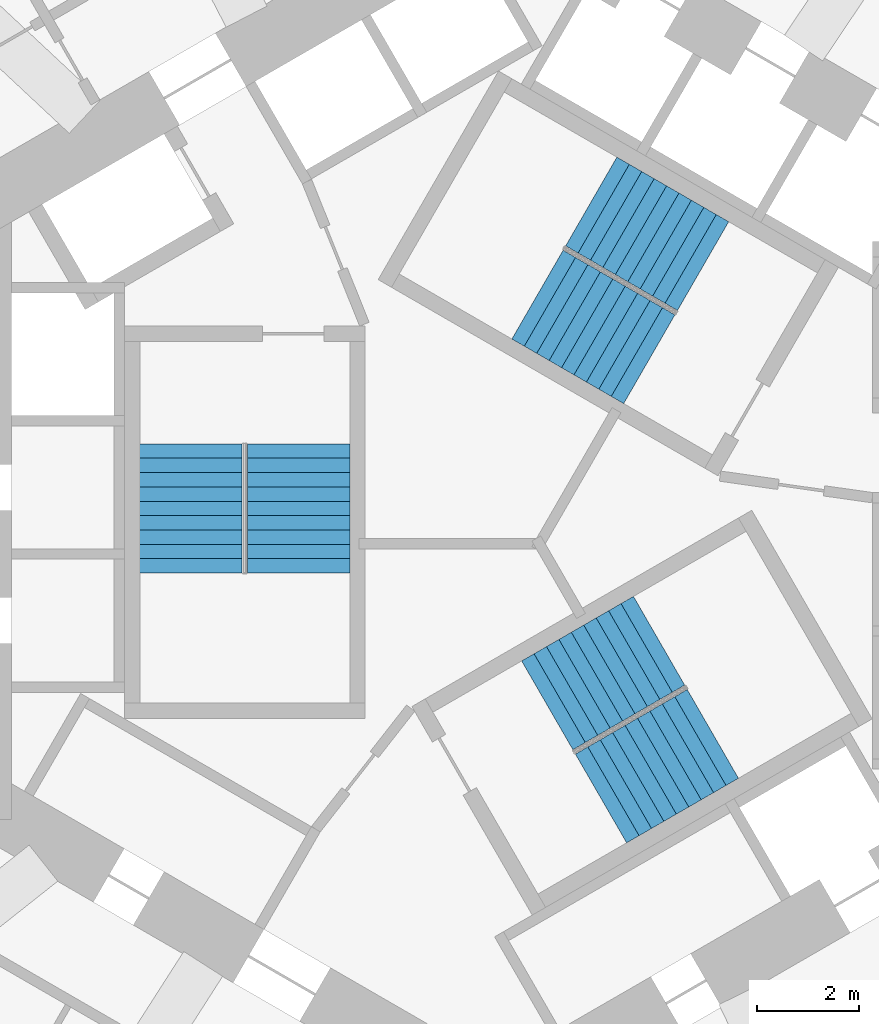
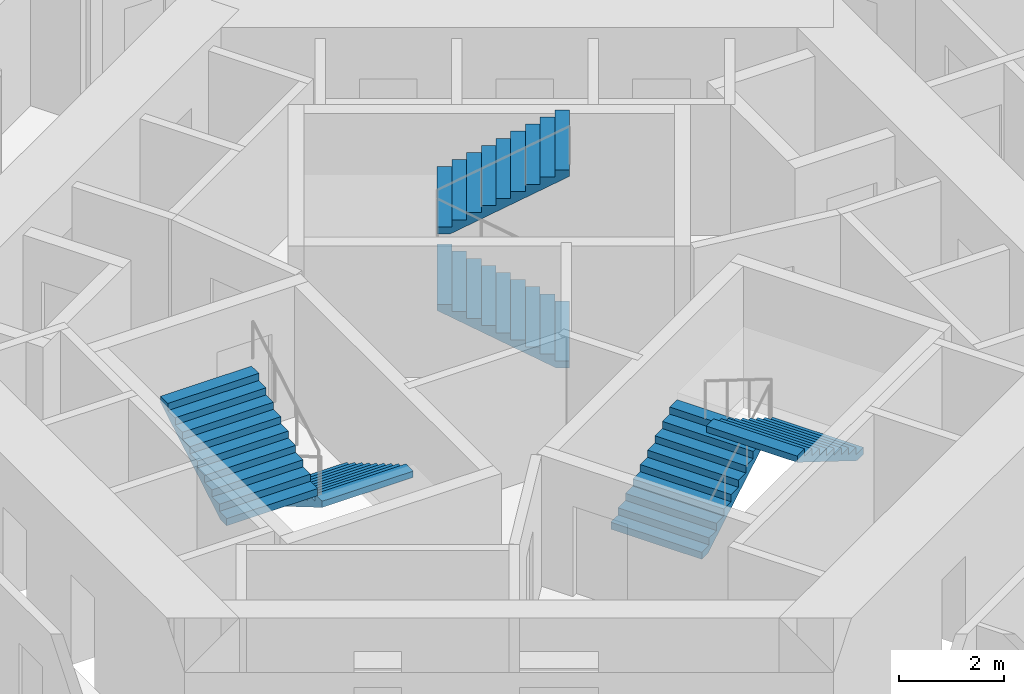
# One storey, part 10 of 12: 6 stair flights, 3 elements without a shape of their own.
"""IFC4 building model written with IfcOpenShell, lengths in metres."""

from ifc_helpers import new_model, si_unit, direction, frame, origin, place, context, subcontext, project, spatial, triangles, source, transform, mapped, material, type_object, element, aggregate, save


model = new_model("IFC4")

# Units and contexts
model_context = context("Model", 3, precision=1e-05, world=origin(), true_north=direction((0.0, 1.0)))
body_context = subcontext(model_context, "Body", "Model", "MODEL_VIEW")
ifc_project = project(units=[si_unit("LENGTHUNIT", "METRE"), si_unit("AREAUNIT", "SQUARE_METRE"), si_unit("VOLUMEUNIT", "CUBIC_METRE"), si_unit("PLANEANGLEUNIT", "RADIAN"), si_unit("MASSUNIT", "GRAM", prefix="KILO")], contexts=[model_context])

# Site, building, storey
site_placement = place(None, origin())
site = spatial("IfcSite", under=ifc_project, at=site_placement, CompositionType="ELEMENT")
building_placement = place(site_placement, origin())
building = spatial("IfcBuilding", under=site, at=building_placement, Name="Vanh Sen Convention Tower", CompositionType="ELEMENT")
storey_placement = place(building_placement, frame((0.0, 0.0, 67.10009765625)))
storey = spatial("IfcBuildingStorey", under=building, at=storey_placement, Name="L14", CompositionType="ELEMENT", Elevation=67.10009765625)

# Stair, stair flights
ifc_material_1 = material(Name="Concrete C50/60", Category="concrete")
stair_type_1 = type_object("IfcStairType", Name="Exit stair ST1 20 risers at 165.0", PredefinedType="HALF_TURN_STAIR", material=ifc_material_1)
stair_1_placement = place(storey_placement, origin())
stair_1 = element("IfcStair", 1, at=stair_1_placement, inside=storey, type_object=stair_type_1, Name="Exit stair ST1 L14", PredefinedType="HALF_TURN_STAIR")
ifc_material_2 = material(Name="Concrete C40/50", Category="concrete")
stair_flight_type = type_object("IfcStairFlightType", Name="Stair flight 2000", PredefinedType="STRAIGHT", material=ifc_material_2)
shared_shape = source(origin(), body_context, "Body", "Tessellation", [
    triangles([(0.24609375, 1.0, 0.0), (0.0, 1.0, 0.0), (0.0, 1.0, 0.1650390625), (0.280029296875, 1.0, 0.1650390625), (0.280029296875, 1.0, 0.330078125), (0.56005859375, 1.0, 0.330078125), (0.56005859375, 1.0, 0.4951171875), (0.840087890625, 1.0, 0.4951171875), (0.840087890625, 1.0, 0.659912109375), (1.1201171875, 1.0, 0.659912109375), (1.1201171875, 1.0, 0.824951171875), (1.39990234375, 1.0, 0.824951171875), (1.39990234375, 1.0, 0.989990234375), (1.679931640625, 1.0, 0.989990234375), (1.679931640625, 1.0, 1.155029296875), (1.9599609375, 1.0, 1.155029296875), (1.9599609375, 1.0, 1.320068359375), (2.239990234375, 1.0, 1.320068359375), (2.239990234375, 1.0, 1.485107421875), (2.52001953125, 1.0, 1.485107421875), (2.52001953125, 1.0, 1.33984375), (0.24609375, -1.0, 0.0), (0.0, -1.0, 0.0), (0.0, -1.0, 0.1650390625), (0.280029296875, -1.0, 0.1650390625), (0.280029296875, -1.0, 0.330078125), (0.56005859375, -1.0, 0.330078125), (0.56005859375, -1.0, 0.4951171875), (0.840087890625, -1.0, 0.4951171875), (0.840087890625, -1.0, 0.659912109375), (1.1201171875, -1.0, 0.659912109375), (1.1201171875, -1.0, 0.824951171875), (1.39990234375, -1.0, 0.824951171875), (1.39990234375, -1.0, 0.989990234375), (1.679931640625, -1.0, 0.989990234375), (1.679931640625, -1.0, 1.155029296875), (1.9599609375, -1.0, 1.155029296875), (1.9599609375, -1.0, 1.320068359375), (2.239990234375, -1.0, 1.320068359375), (2.239990234375, -1.0, 1.485107421875), (2.52001953125, -1.0, 1.485107421875), (2.52001953125, -1.0, 1.33984375), (0.0, 0.0400390625, 0.0), (0.0, 0.0390625, 0.0), (0.0, 0.0380859375, 0.0), (0.0, 0.037109375, 0.0), (0.0, 0.035888671875, 0.0), (0.0, 0.034912109375, 0.0), (0.0, 0.033935546875, 0.0), (0.0, 0.032958984375, 0.0), (0.0, 0.031982421875, 0.0), (0.0, 0.031005859375, 0.0), (0.0, 0.030029296875, 0.0), (0.0, 0.029052734375, 0.0), (0.0, 0.028076171875, 0.0), (0.0, 0.027099609375, 0.0), (0.0, 0.02587890625, 0.0), (0.0, 0.02490234375, 0.0), (0.0, 0.02392578125, 0.0), (0.0, 0.02294921875, 0.0), (0.0, 0.02197265625, 0.0), (0.0, 0.02099609375, 0.0), (0.0, 0.02001953125, 0.0), (0.0, 0.01904296875, 0.0), (0.0, 0.01806640625, 0.0), (0.0, 0.01708984375, 0.0), (0.0, 0.01611328125, 0.0), (0.0, 0.014892578125, 0.0), (0.0, 0.013916015625, 0.0), (0.0, 0.012939453125, 0.0), (0.0, 0.011962890625, 0.0), (0.0, 0.010986328125, 0.0), (0.0, 0.010009765625, 0.0), (0.0, 0.009033203125, 0.0), (0.0, 0.008056640625, 0.0), (0.0, 0.007080078125, 0.0), (0.0, 0.006103515625, 0.0), (0.0, 0.0048828125, 0.0), (0.0, 0.00390625, 0.0), (0.0, 0.0029296875, 0.0), (0.0, 0.001953125, 0.0), (0.0, 0.0009765625, 0.0), (0.0, 0.0, 0.0), (0.0, -0.0009765625, 0.0), (0.0, -0.001953125, 0.0), (0.0, -0.0029296875, 0.0), (0.0, -0.00390625, 0.0), (0.0, -0.0048828125, 0.0), (0.0, -0.006103515625, 0.0), (0.0, -0.007080078125, 0.0), (0.0, -0.008056640625, 0.0), (0.0, -0.009033203125, 0.0), (0.0, -0.010009765625, 0.0), (0.0, -0.010986328125, 0.0), (0.0, -0.011962890625, 0.0), (0.0, -0.012939453125, 0.0), (0.0, -0.013916015625, 0.0), (0.0, -0.014892578125, 0.0), (0.0, -0.01611328125, 0.0), (0.0, -0.01708984375, 0.0), (0.0, -0.01806640625, 0.0), (0.0, -0.01904296875, 0.0), (0.0, -0.02001953125, 0.0), (0.0, -0.02099609375, 0.0), (0.0, -0.02197265625, 0.0), (0.0, -0.02294921875, 0.0), (0.0, -0.02392578125, 0.0), (0.0, -0.02490234375, 0.0), (0.0, -0.02587890625, 0.0), (0.0, -0.027099609375, 0.0), (0.0, -0.028076171875, 0.0), (0.0, -0.029052734375, 0.0), (0.0, -0.030029296875, 0.0), (0.0, -0.031005859375, 0.0), (0.0, -0.031982421875, 0.0), (0.0, -0.032958984375, 0.0), (0.0, -0.033935546875, 0.0), (0.0, -0.034912109375, 0.0), (0.0, -0.035888671875, 0.0), (0.0, -0.037109375, 0.0), (0.0, -0.0380859375, 0.0), (0.0, -0.0390625, 0.0), (0.0, -0.0400390625, 0.0), (0.0, 0.0400390625, 0.1650390625), (0.0, 0.0390625, 0.1650390625), (0.0, 0.0380859375, 0.1650390625), (0.0, 0.037109375, 0.1650390625), (0.0, 0.035888671875, 0.1650390625), (0.0, 0.034912109375, 0.1650390625), (0.0, 0.033935546875, 0.1650390625), (0.0, 0.032958984375, 0.1650390625), (0.0, 0.031982421875, 0.1650390625), (0.0, 0.031005859375, 0.1650390625), (0.0, 0.030029296875, 0.1650390625), (0.0, 0.029052734375, 0.1650390625), (0.0, 0.028076171875, 0.1650390625), (0.0, 0.027099609375, 0.1650390625), (0.0, 0.02587890625, 0.1650390625), (0.0, 0.02490234375, 0.1650390625), (0.0, 0.02392578125, 0.1650390625), (0.0, 0.02294921875, 0.1650390625), (0.0, 0.02197265625, 0.1650390625), (0.0, 0.02099609375, 0.1650390625), (0.0, 0.02001953125, 0.1650390625), (0.0, 0.01904296875, 0.1650390625), (0.0, 0.01806640625, 0.1650390625), (0.0, 0.01708984375, 0.1650390625), (0.0, 0.01611328125, 0.1650390625), (0.0, 0.014892578125, 0.1650390625), (0.0, 0.013916015625, 0.1650390625), (0.0, 0.012939453125, 0.1650390625), (0.0, 0.011962890625, 0.1650390625), (0.0, 0.010986328125, 0.1650390625), (0.0, 0.010009765625, 0.1650390625), (0.0, 0.009033203125, 0.1650390625), (0.0, 0.008056640625, 0.1650390625), (0.0, 0.007080078125, 0.1650390625), (0.0, 0.006103515625, 0.1650390625), (0.0, 0.0048828125, 0.1650390625), (0.0, 0.00390625, 0.1650390625), (0.0, 0.0029296875, 0.1650390625), (0.0, 0.001953125, 0.1650390625), (0.0, 0.0009765625, 0.1650390625), (0.0, 0.0, 0.1650390625), (0.0, -0.0009765625, 0.1650390625), (0.0, -0.001953125, 0.1650390625), (0.0, -0.0029296875, 0.1650390625), (0.0, -0.00390625, 0.1650390625), (0.0, -0.0048828125, 0.1650390625), (0.0, -0.006103515625, 0.1650390625), (0.0, -0.007080078125, 0.1650390625), (0.0, -0.008056640625, 0.1650390625), (0.0, -0.009033203125, 0.1650390625), (0.0, -0.010009765625, 0.1650390625), (0.0, -0.010986328125, 0.1650390625), (0.0, -0.011962890625, 0.1650390625), (0.0, -0.012939453125, 0.1650390625), (0.0, -0.013916015625, 0.1650390625), (0.0, -0.014892578125, 0.1650390625), (0.0, -0.01611328125, 0.1650390625), (0.0, -0.01708984375, 0.1650390625), (0.0, -0.01806640625, 0.1650390625), (0.0, -0.01904296875, 0.1650390625), (0.0, -0.02001953125, 0.1650390625), (0.0, -0.02099609375, 0.1650390625), (0.0, -0.02197265625, 0.1650390625), (0.0, -0.02294921875, 0.1650390625), (0.0, -0.02392578125, 0.1650390625), (0.0, -0.02490234375, 0.1650390625), (0.0, -0.02587890625, 0.1650390625), (0.0, -0.027099609375, 0.1650390625), (0.0, -0.028076171875, 0.1650390625), (0.0, -0.029052734375, 0.1650390625), (0.0, -0.030029296875, 0.1650390625), (0.0, -0.031005859375, 0.1650390625), (0.0, -0.031982421875, 0.1650390625), (0.0, -0.032958984375, 0.1650390625), (0.0, -0.033935546875, 0.1650390625), (0.0, -0.034912109375, 0.1650390625), (0.0, -0.035888671875, 0.1650390625), (0.0, -0.037109375, 0.1650390625), (0.0, -0.0380859375, 0.1650390625), (0.0, -0.0390625, 0.1650390625), (0.0, -0.0400390625, 0.1650390625), (0.280029296875, 0.0, 0.1650390625), (0.280029296875, 0.0, 0.330078125), (0.56005859375, 0.0, 0.330078125), (0.56005859375, 0.0, 0.4951171875), (0.840087890625, 0.0, 0.4951171875), (0.840087890625, 0.0, 0.659912109375), (1.1201171875, 0.0, 0.659912109375), (1.1201171875, 0.0, 0.824951171875), (1.39990234375, 0.0, 0.824951171875), (1.39990234375, 0.0, 0.989990234375), (1.679931640625, 0.0, 0.989990234375), (1.679931640625, 0.0, 1.155029296875), (1.9599609375, 0.0, 1.155029296875), (1.9599609375, 0.0, 1.320068359375), (2.239990234375, 0.0, 1.320068359375), (2.239990234375, 0.0, 1.485107421875), (2.52001953125, 0.0400390625, 1.485107421875), (2.52001953125, 0.0390625, 1.485107421875), (2.52001953125, 0.0380859375, 1.485107421875), (2.52001953125, 0.037109375, 1.485107421875), (2.52001953125, 0.035888671875, 1.485107421875), (2.52001953125, 0.034912109375, 1.485107421875), (2.52001953125, 0.033935546875, 1.485107421875), (2.52001953125, 0.032958984375, 1.485107421875), (2.52001953125, 0.031982421875, 1.485107421875), (2.52001953125, 0.031005859375, 1.485107421875), (2.52001953125, 0.030029296875, 1.485107421875), (2.52001953125, 0.029052734375, 1.485107421875), (2.52001953125, 0.028076171875, 1.485107421875), (2.52001953125, 0.027099609375, 1.485107421875), (2.52001953125, 0.02587890625, 1.485107421875), (2.52001953125, 0.02490234375, 1.485107421875), (2.52001953125, 0.02392578125, 1.485107421875), (2.52001953125, 0.02294921875, 1.485107421875), (2.52001953125, 0.02197265625, 1.485107421875), (2.52001953125, 0.02099609375, 1.485107421875), (2.52001953125, 0.02001953125, 1.485107421875), (2.52001953125, 0.01904296875, 1.485107421875), (2.52001953125, 0.01806640625, 1.485107421875), (2.52001953125, 0.01708984375, 1.485107421875), (2.52001953125, 0.01611328125, 1.485107421875), (2.52001953125, 0.014892578125, 1.485107421875), (2.52001953125, 0.013916015625, 1.485107421875), (2.52001953125, 0.012939453125, 1.485107421875), (2.52001953125, 0.011962890625, 1.485107421875), (2.52001953125, 0.010986328125, 1.485107421875), (2.52001953125, 0.010009765625, 1.485107421875), (2.52001953125, 0.009033203125, 1.485107421875), (2.52001953125, 0.008056640625, 1.485107421875), (2.52001953125, 0.007080078125, 1.485107421875), (2.52001953125, 0.006103515625, 1.485107421875), (2.52001953125, 0.0048828125, 1.485107421875), (2.52001953125, 0.00390625, 1.485107421875), (2.52001953125, 0.0029296875, 1.485107421875), (2.52001953125, 0.001953125, 1.485107421875), (2.52001953125, 0.0009765625, 1.485107421875), (2.52001953125, 0.0, 1.485107421875), (2.52001953125, -0.0009765625, 1.485107421875), (2.52001953125, -0.001953125, 1.485107421875), (2.52001953125, -0.0029296875, 1.485107421875), (2.52001953125, -0.00390625, 1.485107421875), (2.52001953125, -0.0048828125, 1.485107421875), (2.52001953125, -0.006103515625, 1.485107421875), (2.52001953125, -0.007080078125, 1.485107421875), (2.52001953125, -0.008056640625, 1.485107421875), (2.52001953125, -0.009033203125, 1.485107421875), (2.52001953125, -0.010009765625, 1.485107421875), (2.52001953125, -0.010986328125, 1.485107421875), (2.52001953125, -0.011962890625, 1.485107421875), (2.52001953125, -0.012939453125, 1.485107421875), (2.52001953125, -0.013916015625, 1.485107421875), (2.52001953125, -0.014892578125, 1.485107421875), (2.52001953125, -0.01611328125, 1.485107421875), (2.52001953125, -0.01708984375, 1.485107421875), (2.52001953125, -0.01806640625, 1.485107421875), (2.52001953125, -0.01904296875, 1.485107421875), (2.52001953125, -0.02001953125, 1.485107421875), (2.52001953125, -0.02099609375, 1.485107421875), (2.52001953125, -0.02197265625, 1.485107421875), (2.52001953125, -0.02294921875, 1.485107421875), (2.52001953125, -0.02392578125, 1.485107421875), (2.52001953125, -0.02490234375, 1.485107421875), (2.52001953125, -0.02587890625, 1.485107421875), (2.52001953125, -0.027099609375, 1.485107421875), (2.52001953125, -0.028076171875, 1.485107421875), (2.52001953125, -0.029052734375, 1.485107421875), (2.52001953125, -0.030029296875, 1.485107421875), (2.52001953125, -0.031005859375, 1.485107421875), (2.52001953125, -0.031982421875, 1.485107421875), (2.52001953125, -0.032958984375, 1.485107421875), (2.52001953125, -0.033935546875, 1.485107421875), (2.52001953125, -0.034912109375, 1.485107421875), (2.52001953125, -0.035888671875, 1.485107421875), (2.52001953125, -0.037109375, 1.485107421875), (2.52001953125, -0.0380859375, 1.485107421875), (2.52001953125, -0.0390625, 1.485107421875), (2.52001953125, -0.0400390625, 1.485107421875), (2.52001953125, 0.0400390625, 1.33984375), (2.52001953125, 0.0390625, 1.33984375), (2.52001953125, 0.0380859375, 1.33984375), (2.52001953125, 0.037109375, 1.33984375), (2.52001953125, 0.035888671875, 1.33984375), (2.52001953125, 0.034912109375, 1.33984375), (2.52001953125, 0.033935546875, 1.33984375), (2.52001953125, 0.032958984375, 1.33984375), (2.52001953125, 0.031982421875, 1.33984375), (2.52001953125, 0.031005859375, 1.33984375), (2.52001953125, 0.030029296875, 1.33984375), (2.52001953125, 0.029052734375, 1.33984375), (2.52001953125, 0.028076171875, 1.33984375), (2.52001953125, 0.027099609375, 1.33984375), (2.52001953125, 0.02587890625, 1.33984375), (2.52001953125, 0.02490234375, 1.33984375), (2.52001953125, 0.02392578125, 1.33984375), (2.52001953125, 0.02294921875, 1.33984375), (2.52001953125, 0.02197265625, 1.33984375), (2.52001953125, 0.02099609375, 1.33984375), (2.52001953125, 0.02001953125, 1.33984375), (2.52001953125, 0.01904296875, 1.33984375), (2.52001953125, 0.01806640625, 1.33984375), (2.52001953125, 0.01708984375, 1.33984375), (2.52001953125, 0.01611328125, 1.33984375), (2.52001953125, 0.014892578125, 1.33984375), (2.52001953125, 0.013916015625, 1.33984375), (2.52001953125, 0.012939453125, 1.33984375), (2.52001953125, 0.011962890625, 1.33984375), (2.52001953125, 0.010986328125, 1.33984375), (2.52001953125, 0.010009765625, 1.33984375), (2.52001953125, 0.009033203125, 1.33984375), (2.52001953125, 0.008056640625, 1.33984375), (2.52001953125, 0.007080078125, 1.33984375), (2.52001953125, 0.006103515625, 1.33984375), (2.52001953125, 0.0048828125, 1.33984375), (2.52001953125, 0.00390625, 1.33984375), (2.52001953125, 0.0029296875, 1.33984375), (2.52001953125, 0.001953125, 1.33984375), (2.52001953125, 0.0009765625, 1.33984375), (2.52001953125, 0.0, 1.33984375), (2.52001953125, -0.0009765625, 1.33984375), (2.52001953125, -0.001953125, 1.33984375), (2.52001953125, -0.0029296875, 1.33984375), (2.52001953125, -0.00390625, 1.33984375), (2.52001953125, -0.0048828125, 1.33984375), (2.52001953125, -0.006103515625, 1.33984375), (2.52001953125, -0.007080078125, 1.33984375), (2.52001953125, -0.008056640625, 1.33984375), (2.52001953125, -0.009033203125, 1.33984375), (2.52001953125, -0.010009765625, 1.33984375), (2.52001953125, -0.010986328125, 1.33984375), (2.52001953125, -0.011962890625, 1.33984375), (2.52001953125, -0.012939453125, 1.33984375), (2.52001953125, -0.013916015625, 1.33984375), (2.52001953125, -0.014892578125, 1.33984375), (2.52001953125, -0.01611328125, 1.33984375), (2.52001953125, -0.01708984375, 1.33984375), (2.52001953125, -0.01806640625, 1.33984375), (2.52001953125, -0.01904296875, 1.33984375), (2.52001953125, -0.02001953125, 1.33984375), (2.52001953125, -0.02099609375, 1.33984375), (2.52001953125, -0.02197265625, 1.33984375), (2.52001953125, -0.02294921875, 1.33984375), (2.52001953125, -0.02392578125, 1.33984375), (2.52001953125, -0.02490234375, 1.33984375), (2.52001953125, -0.02587890625, 1.33984375), (2.52001953125, -0.027099609375, 1.33984375), (2.52001953125, -0.028076171875, 1.33984375), (2.52001953125, -0.029052734375, 1.33984375), (2.52001953125, -0.030029296875, 1.33984375), (2.52001953125, -0.031005859375, 1.33984375), (2.52001953125, -0.031982421875, 1.33984375), (2.52001953125, -0.032958984375, 1.33984375), (2.52001953125, -0.033935546875, 1.33984375), (2.52001953125, -0.034912109375, 1.33984375), (2.52001953125, -0.035888671875, 1.33984375), (2.52001953125, -0.037109375, 1.33984375), (2.52001953125, -0.0380859375, 1.33984375), (2.52001953125, -0.0390625, 1.33984375), (2.52001953125, -0.0400390625, 1.33984375), (0.24609375, 0.0, 0.0)], [[1, 2, 3], [1, 3, 4], [4, 5, 6], [1, 4, 6], [6, 7, 8], [1, 6, 8], [8, 9, 10], [1, 8, 10], [10, 11, 12], [1, 10, 12], [12, 13, 14], [1, 12, 14], [14, 15, 16], [1, 14, 16], [16, 17, 18], [1, 16, 18], [18, 19, 20], [1, 18, 20], [20, 21, 1], [22, 24, 23], [22, 25, 24], [25, 27, 26], [22, 27, 25], [27, 29, 28], [22, 29, 27], [29, 31, 30], [22, 31, 29], [31, 33, 32], [22, 33, 31], [33, 35, 34], [22, 35, 33], [35, 37, 36], [22, 37, 35], [37, 39, 38], [22, 39, 37], [39, 41, 40], [22, 41, 39], [41, 22, 42], [2, 124, 3], [2, 43, 124], [43, 125, 124], [43, 44, 125], [44, 126, 125], [44, 45, 126], [45, 127, 126], [45, 46, 127], [46, 128, 127], [46, 47, 128], [47, 129, 128], [47, 48, 129], [48, 130, 129], [48, 49, 130], [49, 131, 130], [49, 50, 131], [50, 132, 131], [50, 51, 132], [51, 133, 132], [51, 52, 133], [52, 134, 133], [52, 53, 134], [53, 135, 134], [53, 54, 135], [54, 136, 135], [54, 55, 136], [55, 137, 136], [55, 56, 137], [56, 138, 137], [56, 57, 138], [57, 139, 138], [57, 58, 139], [58, 140, 139], [58, 59, 140], [59, 141, 140], [59, 60, 141], [60, 142, 141], [60, 61, 142], [61, 143, 142], [61, 62, 143], [62, 144, 143], [62, 63, 144], [63, 145, 144], [63, 64, 145], [64, 146, 145], [64, 65, 146], [65, 147, 146], [65, 66, 147], [66, 148, 147], [66, 67, 148], [67, 149, 148], [67, 68, 149], [68, 150, 149], [68, 69, 150], [69, 151, 150], [69, 70, 151], [70, 152, 151], [70, 71, 152], [71, 153, 152], [71, 72, 153], [72, 154, 153], [72, 73, 154], [73, 155, 154], [73, 74, 155], [74, 156, 155], [74, 75, 156], [75, 157, 156], [75, 76, 157], [76, 158, 157], [76, 77, 158], [77, 159, 158], [77, 78, 159], [78, 160, 159], [78, 79, 160], [79, 161, 160], [79, 80, 161], [80, 162, 161], [80, 81, 162], [81, 163, 162], [81, 82, 163], [82, 164, 163], [82, 83, 164], [83, 84, 164], [164, 84, 165], [84, 85, 165], [165, 85, 166], [85, 86, 166], [166, 86, 167], [86, 87, 167], [167, 87, 168], [87, 88, 168], [168, 88, 169], [88, 89, 169], [169, 89, 170], [89, 90, 170], [170, 90, 171], [90, 91, 171], [171, 91, 172], [91, 92, 172], [172, 92, 173], [92, 93, 173], [173, 93, 174], [93, 94, 174], [174, 94, 175], [94, 95, 175], [175, 95, 176], [95, 96, 176], [176, 96, 177], [96, 97, 177], [177, 97, 178], [97, 98, 178], [178, 98, 179], [98, 99, 179], [179, 99, 180], [99, 100, 180], [180, 100, 181], [100, 101, 181], [181, 101, 182], [101, 102, 182], [182, 102, 183], [102, 103, 183], [183, 103, 184], [103, 104, 184], [184, 104, 185], [104, 105, 185], [185, 105, 186], [105, 106, 186], [186, 106, 187], [106, 107, 187], [187, 107, 188], [107, 108, 188], [188, 108, 189], [108, 109, 189], [189, 109, 190], [109, 110, 190], [190, 110, 191], [110, 111, 191], [191, 111, 192], [111, 112, 192], [192, 112, 193], [112, 113, 193], [193, 113, 194], [113, 114, 194], [194, 114, 195], [114, 115, 195], [195, 115, 196], [115, 116, 196], [196, 116, 197], [116, 117, 197], [197, 117, 198], [117, 118, 198], [198, 118, 199], [118, 119, 199], [199, 119, 200], [119, 120, 200], [200, 120, 201], [120, 121, 201], [201, 121, 202], [121, 122, 202], [202, 122, 203], [122, 123, 203], [203, 123, 204], [123, 23, 204], [204, 23, 24], [4, 3, 124], [4, 124, 125], [4, 125, 126], [4, 126, 127], [4, 127, 128], [4, 128, 129], [4, 129, 130], [4, 130, 131], [4, 131, 132], [4, 132, 133], [4, 133, 134], [4, 134, 135], [4, 135, 136], [4, 136, 137], [4, 137, 138], [4, 138, 139], [4, 139, 140], [4, 140, 141], [4, 141, 142], [4, 142, 143], [4, 143, 144], [4, 144, 145], [4, 145, 146], [4, 146, 147], [4, 147, 148], [4, 148, 149], [4, 149, 150], [4, 150, 151], [4, 151, 152], [4, 152, 153], [4, 153, 154], [4, 154, 155], [4, 155, 156], [4, 156, 157], [4, 157, 158], [4, 158, 159], [4, 159, 160], [4, 160, 161], [4, 161, 162], [4, 162, 163], [4, 163, 164], [25, 164, 165], [25, 165, 166], [25, 166, 167], [25, 167, 168], [25, 168, 169], [25, 169, 170], [25, 170, 171], [25, 171, 172], [25, 172, 173], [25, 173, 174], [25, 174, 175], [25, 175, 176], [25, 176, 177], [25, 177, 178], [25, 178, 179], [25, 179, 180], [25, 180, 181], [25, 181, 182], [25, 182, 183], [25, 183, 184], [25, 184, 185], [25, 185, 186], [25, 186, 187], [25, 187, 188], [25, 188, 189], [25, 189, 190], [25, 190, 191], [25, 191, 192], [25, 192, 193], [25, 193, 194], [25, 194, 195], [25, 195, 196], [25, 196, 197], [25, 197, 198], [25, 198, 199], [25, 199, 200], [25, 200, 201], [25, 201, 202], [25, 202, 203], [25, 203, 204], [25, 204, 24], [4, 164, 205], [25, 205, 164], [4, 206, 5], [4, 205, 206], [205, 25, 206], [206, 25, 26], [5, 207, 6], [5, 206, 207], [206, 26, 207], [207, 26, 27], [6, 208, 7], [6, 207, 208], [207, 27, 208], [208, 27, 28], [7, 209, 8], [7, 208, 209], [208, 28, 209], [209, 28, 29], [8, 210, 9], [8, 209, 210], [209, 29, 210], [210, 29, 30], [9, 211, 10], [9, 210, 211], [210, 30, 211], [211, 30, 31], [10, 212, 11], [10, 211, 212], [211, 31, 212], [212, 31, 32], [11, 213, 12], [11, 212, 213], [212, 32, 213], [213, 32, 33], [12, 214, 13], [12, 213, 214], [213, 33, 214], [214, 33, 34], [13, 215, 14], [13, 214, 215], [214, 34, 215], [215, 34, 35], [14, 216, 15], [14, 215, 216], [215, 35, 216], [216, 35, 36], [15, 217, 16], [15, 216, 217], [216, 36, 217], [217, 36, 37], [16, 218, 17], [16, 217, 218], [217, 37, 218], [218, 37, 38], [17, 219, 18], [17, 218, 219], [218, 38, 219], [219, 38, 39], [18, 220, 19], [18, 219, 220], [219, 39, 220], [220, 39, 40], [19, 221, 20], [19, 222, 221], [19, 223, 222], [19, 224, 223], [19, 225, 224], [19, 226, 225], [19, 227, 226], [19, 228, 227], [19, 229, 228], [19, 230, 229], [19, 231, 230], [19, 232, 231], [19, 233, 232], [19, 234, 233], [19, 235, 234], [19, 236, 235], [19, 237, 236], [19, 238, 237], [19, 239, 238], [19, 240, 239], [19, 241, 240], [19, 242, 241], [19, 243, 242], [19, 244, 243], [19, 245, 244], [19, 246, 245], [19, 247, 246], [19, 248, 247], [19, 249, 248], [19, 250, 249], [19, 251, 250], [19, 252, 251], [19, 253, 252], [19, 254, 253], [19, 255, 254], [19, 256, 255], [19, 257, 256], [19, 258, 257], [19, 259, 258], [19, 260, 259], [19, 261, 260], [40, 262, 261], [40, 263, 262], [40, 264, 263], [40, 265, 264], [40, 266, 265], [40, 267, 266], [40, 268, 267], [40, 269, 268], [40, 270, 269], [40, 271, 270], [40, 272, 271], [40, 273, 272], [40, 274, 273], [40, 275, 274], [40, 276, 275], [40, 277, 276], [40, 278, 277], [40, 279, 278], [40, 280, 279], [40, 281, 280], [40, 282, 281], [40, 283, 282], [40, 284, 283], [40, 285, 284], [40, 286, 285], [40, 287, 286], [40, 288, 287], [40, 289, 288], [40, 290, 289], [40, 291, 290], [40, 292, 291], [40, 293, 292], [40, 294, 293], [40, 295, 294], [40, 296, 295], [40, 297, 296], [40, 298, 297], [40, 299, 298], [40, 300, 299], [40, 301, 300], [40, 41, 301], [19, 220, 261], [40, 261, 220], [20, 302, 21], [20, 221, 302], [221, 303, 302], [221, 222, 303], [222, 304, 303], [222, 223, 304], [223, 305, 304], [223, 224, 305], [224, 306, 305], [224, 225, 306], [225, 307, 306], [225, 226, 307], [226, 308, 307], [226, 227, 308], [227, 309, 308], [227, 228, 309], [228, 310, 309], [228, 229, 310], [229, 311, 310], [229, 230, 311], [230, 312, 311], [230, 231, 312], [231, 313, 312], [231, 232, 313], [232, 314, 313], [232, 233, 314], [233, 315, 314], [233, 234, 315], [234, 316, 315], [234, 235, 316], [235, 317, 316], [235, 236, 317], [236, 318, 317], [236, 237, 318], [237, 319, 318], [237, 238, 319], [238, 320, 319], [238, 239, 320], [239, 321, 320], [239, 240, 321], [240, 322, 321], [240, 241, 322], [241, 323, 322], [241, 242, 323], [242, 324, 323], [242, 243, 324], [243, 325, 324], [243, 244, 325], [244, 326, 325], [244, 245, 326], [245, 327, 326], [245, 246, 327], [246, 328, 327], [246, 247, 328], [247, 329, 328], [247, 248, 329], [248, 330, 329], [248, 249, 330], [249, 331, 330], [249, 250, 331], [250, 332, 331], [250, 251, 332], [251, 333, 332], [251, 252, 333], [252, 334, 333], [252, 253, 334], [253, 335, 334], [253, 254, 335], [254, 336, 335], [254, 255, 336], [255, 337, 336], [255, 256, 337], [256, 338, 337], [256, 257, 338], [257, 339, 338], [257, 258, 339], [258, 340, 339], [258, 259, 340], [259, 341, 340], [259, 260, 341], [260, 342, 341], [260, 261, 342], [261, 262, 342], [342, 262, 343], [262, 263, 343], [343, 263, 344], [263, 264, 344], [344, 264, 345], [264, 265, 345], [345, 265, 346], [265, 266, 346], [346, 266, 347], [266, 267, 347], [347, 267, 348], [267, 268, 348], [348, 268, 349], [268, 269, 349], [349, 269, 350], [269, 270, 350], [350, 270, 351], [270, 271, 351], [351, 271, 352], [271, 272, 352], [352, 272, 353], [272, 273, 353], [353, 273, 354], [273, 274, 354], [354, 274, 355], [274, 275, 355], [355, 275, 356], [275, 276, 356], [356, 276, 357], [276, 277, 357], [357, 277, 358], [277, 278, 358], [358, 278, 359], [278, 279, 359], [359, 279, 360], [279, 280, 360], [360, 280, 361], [280, 281, 361], [361, 281, 362], [281, 282, 362], [362, 282, 363], [282, 283, 363], [363, 283, 364], [283, 284, 364], [364, 284, 365], [284, 285, 365], [365, 285, 366], [285, 286, 366], [366, 286, 367], [286, 287, 367], [367, 287, 368], [287, 288, 368], [368, 288, 369], [288, 289, 369], [369, 289, 370], [289, 290, 370], [370, 290, 371], [290, 291, 371], [371, 291, 372], [291, 292, 372], [372, 292, 373], [292, 293, 373], [373, 293, 374], [293, 294, 374], [374, 294, 375], [294, 295, 375], [375, 295, 376], [295, 296, 376], [376, 296, 377], [296, 297, 377], [377, 297, 378], [297, 298, 378], [378, 298, 379], [298, 299, 379], [379, 299, 380], [299, 300, 380], [380, 300, 381], [300, 301, 381], [381, 301, 382], [301, 41, 382], [382, 41, 42], [1, 21, 302], [1, 302, 303], [1, 303, 304], [1, 304, 305], [1, 305, 306], [1, 306, 307], [1, 307, 308], [1, 308, 309], [1, 309, 310], [1, 310, 311], [1, 311, 312], [1, 312, 313], [1, 313, 314], [1, 314, 315], [1, 315, 316], [1, 316, 317], [1, 317, 318], [1, 318, 319], [1, 319, 320], [1, 320, 321], [1, 321, 322], [1, 322, 323], [1, 323, 324], [1, 324, 325], [1, 325, 326], [1, 326, 327], [1, 327, 328], [1, 328, 329], [1, 329, 330], [1, 330, 331], [1, 331, 332], [1, 332, 333], [1, 333, 334], [1, 334, 335], [1, 335, 336], [1, 336, 337], [1, 337, 338], [1, 338, 339], [1, 339, 340], [1, 340, 341], [1, 341, 342], [22, 342, 343], [22, 343, 344], [22, 344, 345], [22, 345, 346], [22, 346, 347], [22, 347, 348], [22, 348, 349], [22, 349, 350], [22, 350, 351], [22, 351, 352], [22, 352, 353], [22, 353, 354], [22, 354, 355], [22, 355, 356], [22, 356, 357], [22, 357, 358], [22, 358, 359], [22, 359, 360], [22, 360, 361], [22, 361, 362], [22, 362, 363], [22, 363, 364], [22, 364, 365], [22, 365, 366], [22, 366, 367], [22, 367, 368], [22, 368, 369], [22, 369, 370], [22, 370, 371], [22, 371, 372], [22, 372, 373], [22, 373, 374], [22, 374, 375], [22, 375, 376], [22, 376, 377], [22, 377, 378], [22, 378, 379], [22, 379, 380], [22, 380, 381], [22, 381, 382], [22, 382, 42], [1, 342, 383], [22, 383, 342], [1, 43, 2], [1, 44, 43], [1, 45, 44], [1, 46, 45], [1, 47, 46], [1, 48, 47], [1, 49, 48], [1, 50, 49], [1, 51, 50], [1, 52, 51], [1, 53, 52], [1, 54, 53], [1, 55, 54], [1, 56, 55], [1, 57, 56], [1, 58, 57], [1, 59, 58], [1, 60, 59], [1, 61, 60], [1, 62, 61], [1, 63, 62], [1, 64, 63], [1, 65, 64], [1, 66, 65], [1, 67, 66], [1, 68, 67], [1, 69, 68], [1, 70, 69], [1, 71, 70], [1, 72, 71], [1, 73, 72], [1, 74, 73], [1, 75, 74], [1, 76, 75], [1, 77, 76], [1, 78, 77], [1, 79, 78], [1, 80, 79], [1, 81, 80], [1, 82, 81], [1, 83, 82], [22, 84, 83], [22, 85, 84], [22, 86, 85], [22, 87, 86], [22, 88, 87], [22, 89, 88], [22, 90, 89], [22, 91, 90], [22, 92, 91], [22, 93, 92], [22, 94, 93], [22, 95, 94], [22, 96, 95], [22, 97, 96], [22, 98, 97], [22, 99, 98], [22, 100, 99], [22, 101, 100], [22, 102, 101], [22, 103, 102], [22, 104, 103], [22, 105, 104], [22, 106, 105], [22, 107, 106], [22, 108, 107], [22, 109, 108], [22, 110, 109], [22, 111, 110], [22, 112, 111], [22, 113, 112], [22, 114, 113], [22, 115, 114], [22, 116, 115], [22, 117, 116], [22, 118, 117], [22, 119, 118], [22, 120, 119], [22, 121, 120], [22, 122, 121], [22, 123, 122], [22, 23, 123], [1, 383, 83], [22, 83, 383]], closed=True),
])
stair_flight_1_placement = place(storey_placement, frame((2.94580078125, 2.802490234375, 0.0), z_axis=(0.0, 0.0, 1.0), x_axis=(-0.866025403784, 0.5, 0.0)))
stair_flight_1 = element("IfcStairFlight", 2, at=stair_flight_1_placement, type_object=stair_flight_type, Name="ST1 flight 1", NumberOfRisers=10, NumberOfTreads=9, PredefinedType="STRAIGHT", RiserHeight=0.165, TreadLength=0.28, context=body_context, shape_type="MappedRepresentation", body=[
    mapped(shared_shape, transform((0.0, 0.0, 0.0))),
])
stair_flight_2_placement = place(storey_placement, frame((1.8134765625, 5.881103515625, 1.64990234375), z_axis=(0.0, 0.0, 1.0), x_axis=(0.866025403784, -0.5, 0.0)))
stair_flight_2 = element("IfcStairFlight", 3, at=stair_flight_2_placement, type_object=stair_flight_type, Name="ST1 flight 2", NumberOfRisers=10, NumberOfTreads=9, PredefinedType="STRAIGHT", RiserHeight=0.165, TreadLength=0.28, context=body_context, shape_type="MappedRepresentation", body=[
    mapped(shared_shape, transform((0.0, 0.0, 0.0))),
])
aggregate(stair_1, [stair_flight_1, stair_flight_2])

stair_type_2 = type_object("IfcStairType", Name="Exit stair ST2 20 risers at 165.0", PredefinedType="HALF_TURN_STAIR", material=ifc_material_1)
stair_2_placement = place(storey_placement, origin())
stair_2 = element("IfcStair", 4, at=stair_2_placement, inside=storey, type_object=stair_type_2, Name="Exit stair ST2 L14", PredefinedType="HALF_TURN_STAIR")
stair_flight_3_placement = place(storey_placement, frame((-3.89990234375, 1.14990234375, 0.0), z_axis=(0.0, 0.0, 1.0), x_axis=(0.0, -1.0, 0.0)))
stair_flight_3 = element("IfcStairFlight", 5, at=stair_flight_3_placement, type_object=stair_flight_type, Name="ST2 flight 1", NumberOfRisers=10, NumberOfTreads=9, PredefinedType="STRAIGHT", RiserHeight=0.165, TreadLength=0.28, context=body_context, shape_type="MappedRepresentation", body=[
    mapped(shared_shape, transform((0.0, 0.0, 0.0))),
])
stair_flight_4_placement = place(storey_placement, frame((-6.0, -1.3701171875, 1.64990234375), z_axis=(0.0, 0.0, 1.0), x_axis=(0.0, 1.0, 0.0)))
stair_flight_4 = element("IfcStairFlight", 6, at=stair_flight_4_placement, type_object=stair_flight_type, Name="ST2 flight 2", NumberOfRisers=10, NumberOfTreads=9, PredefinedType="STRAIGHT", RiserHeight=0.165, TreadLength=0.28, context=body_context, shape_type="MappedRepresentation", body=[
    mapped(shared_shape, transform((0.0, 0.0, 0.0))),
])
aggregate(stair_2, [stair_flight_3, stair_flight_4])

stair_type_3 = type_object("IfcStairType", Name="Exit stair ST3 20 risers at 165.0", PredefinedType="HALF_TURN_STAIR", material=ifc_material_1)
stair_3_placement = place(storey_placement, origin())
stair_3 = element("IfcStair", 7, at=stair_3_placement, inside=storey, type_object=stair_type_3, Name="Exit stair ST3 L14", PredefinedType="HALF_TURN_STAIR")
stair_flight_5_placement = place(storey_placement, frame((0.9541015625, -3.952392578125, 0.0), z_axis=(0.0, 0.0, 1.0), x_axis=(0.866025403784, 0.5, 0.0)))
stair_flight_5 = element("IfcStairFlight", 8, at=stair_flight_5_placement, type_object=stair_flight_type, Name="ST3 flight 1", NumberOfRisers=10, NumberOfTreads=9, PredefinedType="STRAIGHT", RiserHeight=0.165, TreadLength=0.28, context=body_context, shape_type="MappedRepresentation", body=[
    mapped(shared_shape, transform((0.0, 0.0, 0.0))),
])
stair_flight_6_placement = place(storey_placement, frame((4.1865234375, -4.51123046875, 1.64990234375), z_axis=(0.0, 0.0, 1.0), x_axis=(-0.866025403784, -0.5, 0.0)))
stair_flight_6 = element("IfcStairFlight", 9, at=stair_flight_6_placement, type_object=stair_flight_type, Name="ST3 flight 2", NumberOfRisers=10, NumberOfTreads=9, PredefinedType="STRAIGHT", RiserHeight=0.165, TreadLength=0.28, context=body_context, shape_type="MappedRepresentation", body=[
    mapped(shared_shape, transform((0.0, 0.0, 0.0))),
])
aggregate(stair_3, [stair_flight_5, stair_flight_6])

save(model, "model.ifc")
